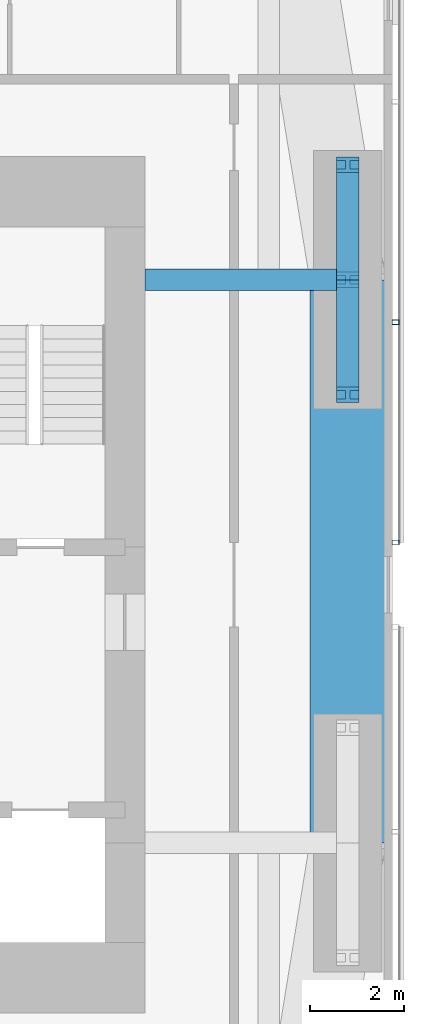
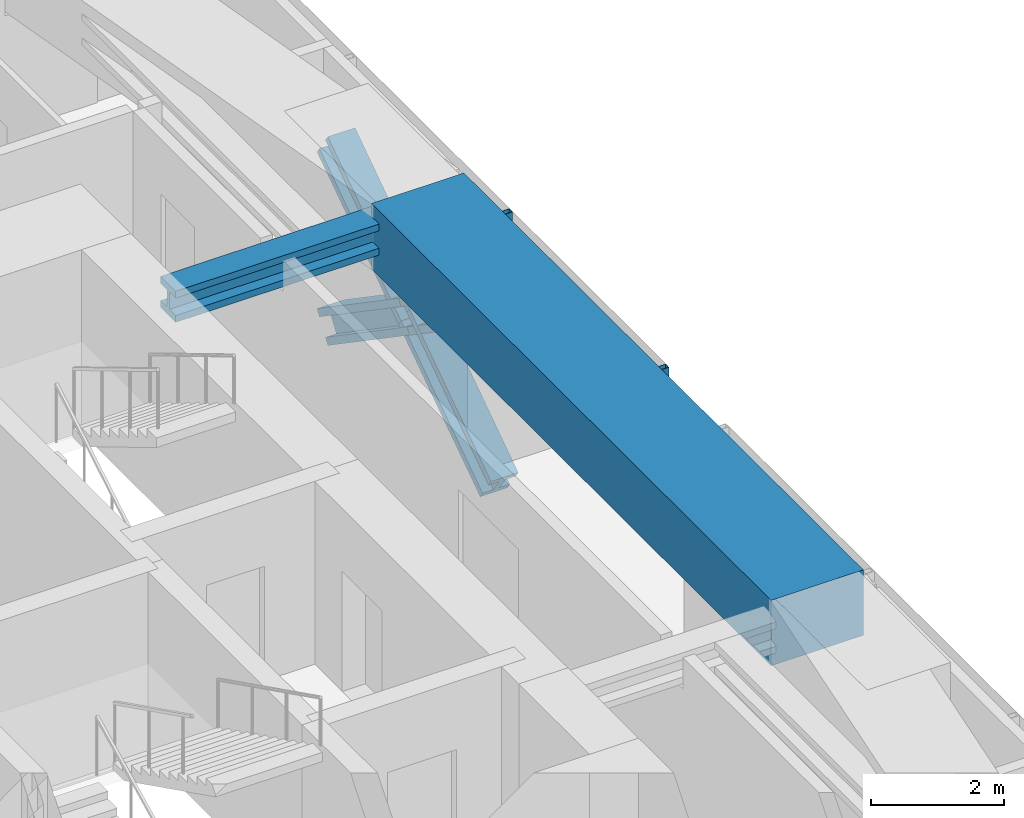
# One storey, part 10 of 24: 6 members, 2 beams, 1 element without a shape of its own.
"""IFC4 building model written with IfcOpenShell, lengths in metres."""

from ifc_helpers import new_model, si_unit, direction, frame, origin, origin_2d, place, context, subcontext, project, spatial, rectangle, hollow_rectangle, i_section, extrude, material, material_profile, profile_set, type_object, element, aggregate, save


model = new_model("IFC4")

# Units and contexts
model_context = context("Model", 3, precision=1e-05, world=origin(), true_north=direction((0.0, 1.0)))
body_context = subcontext(model_context, "Body", "Model", "MODEL_VIEW")
ifc_project = project(units=[si_unit("LENGTHUNIT", "METRE"), si_unit("AREAUNIT", "SQUARE_METRE"), si_unit("VOLUMEUNIT", "CUBIC_METRE"), si_unit("PLANEANGLEUNIT", "RADIAN"), si_unit("MASSUNIT", "GRAM", prefix="KILO")], contexts=[model_context])

# Site, building, storey
site_placement = place(None, origin())
site = spatial("IfcSite", under=ifc_project, at=site_placement, CompositionType="ELEMENT")
building_placement = place(site_placement, origin())
building = spatial("IfcBuilding", under=site, at=building_placement, Name="Jalousie Tower", CompositionType="ELEMENT")
storey_placement = place(building_placement, frame((0.0, 0.0, 124.949951171875)))
storey = spatial("IfcBuildingStorey", under=building, at=storey_placement, Name="L34", CompositionType="ELEMENT", Elevation=124.949951171875)

# Beam
ifc_material_1 = material(Name="Steel ASTM A992 Grade 50", Category="steel")
ifc_material_profile_1 = material_profile(ifc_material_1, i_section(OverallWidth=0.45458984375, OverallDepth=0.569091796875, WebThickness=0.077880859375, FlangeThickness=0.124755859375, at=origin_2d()), Name="W14X730")
ifc_profile_set_1 = profile_set([ifc_material_profile_1], Name="Steel ASTM A992 Grade 50")
beam_type_1 = type_object("IfcBeamType", Name="LEAN COLLECTOR W14X730", PredefinedType="BEAM", material=ifc_profile_set_1)
beam_1_placement = place(storey_placement, frame((48.550048828125, 25.0, 2.825439453125), z_axis=(-1.0, 0.0, 0.0), x_axis=(0.0, -1.0, 0.0)))
element("IfcBeam", 1, at=beam_1_placement, inside=storey, type_object=beam_type_1, Name="Lean collector under L35", PredefinedType="BEAM", context=body_context, shape_type="SweptSolid", body=[
    extrude(i_section(OverallWidth=0.45458984375, OverallDepth=0.569091796875, WebThickness=0.077880859375, FlangeThickness=0.124755859375, at=origin_2d()), origin(), (0.0, 0.0, 1.0), 4.324951171875),
])

# Members
ifc_material_2 = material(Name="Steel ASTM A992 Grade 50", Category="steel")
ifc_material_profile_2 = material_profile(ifc_material_2, i_section(OverallWidth=0.472412109375, OverallDepth=0.5791015625, WebThickness=0.094970703125, FlangeThickness=0.1298828125, at=origin_2d()), Name="W14X808")
ifc_profile_set_2 = profile_set([ifc_material_profile_2], Name="Steel ASTM A992 Grade 50")
member_type_1 = type_object("IfcMemberType", Name="PERIMETER BRACE W14X808", PredefinedType="BRACE", material=ifc_profile_set_2)
for number, where, z_axis, x_axis, name in (
    (2, (48.550048828125, 22.550048828125, -0.599853515625), (0.0, 0.825539243753, 0.564344714713), (-1.0, 0.0, 0.0), "Perimeter brace 07 L34 part 1"),
    (3, (48.550048828125, 25.0, 1.074951171875), (0.0, 0.825500916831, 0.564400776321), (-1.0, 0.0, 0.0), "Perimeter brace 07 L34 part 2"),
    (4, (48.550048828125, 27.449951171875, -0.599853515625), (0.0, -0.825539243753, 0.564344714713), (1.0, 0.0, 0.0), "Perimeter brace 07 L34 part 3"),
    (5, (48.550048828125, 25.0, 1.074951171875), (0.0, -0.825500916831, 0.564400776321), (1.0, 0.0, 0.0), "Perimeter brace 07 L34 part 4"),
):
    element("IfcMember", number, at=place(storey_placement, frame(where, z_axis=z_axis, x_axis=x_axis)), inside=storey, type_object=member_type_1, Name=name, PredefinedType="BRACE", context=body_context, shape_type="SweptSolid", body=[
        extrude(i_section(OverallWidth=0.472412109375, OverallDepth=0.5791015625, WebThickness=0.094970703125, FlangeThickness=0.1298828125, at=origin_2d()), origin(), (0.0, 0.0, 1.0), 2.9677734375),
    ])

# Beam
ifc_material_3 = material(Name="Concrete f'c 40 MPa", Category="concrete")
ifc_material_profile_3 = material_profile(ifc_material_3, rectangle(XDim=1.60009765625, YDim=1.199951171875, at=origin_2d()), Name="RC 1600x1200")
ifc_profile_set_3 = profile_set([ifc_material_profile_3], Name="Concrete f'c 40 MPa")
beam_type_2 = type_object("IfcBeamType", Name="RC BEAM 1600x1200", PredefinedType="BEAM", material=ifc_profile_set_3)
beam_2_placement = place(storey_placement, frame((48.550048828125, 13.0, 2.75), z_axis=(0.0, 1.0, 0.0), x_axis=(-1.0, 0.0, 0.0)))
element("IfcBeam", 6, at=beam_2_placement, inside=storey, type_object=beam_type_2, Name="Edge band beam 06-07 under L35", PredefinedType="BEAM", context=body_context, shape_type="SweptSolid", body=[
    extrude(rectangle(XDim=1.60009765625, YDim=1.199951171875, at=origin_2d()), origin(), (0.0, 0.0, 1.0), 12.0),
])

# Curtain wall, members
ifc_material_4 = material(Name="Perforated aluminium sheet", Category="aluminium")
curtain_wall_type = type_object("IfcCurtainWallType", Name="SOLAR SCREEN SS-1", PredefinedType="USERDEFINED", material=ifc_material_4)
curtain_wall_placement = place(storey_placement, origin())
curtain_wall = element("IfcCurtainWall", 7, at=curtain_wall_placement, inside=storey, type_object=curtain_wall_type, Name="Solar screen L34", ObjectType="SOLAR SCREEN SS-1", PredefinedType="USERDEFINED")
ifc_material_5 = material(Name="Steel ASTM A500 Grade C", Category="steel")
ifc_material_profile_4 = material_profile(ifc_material_5, hollow_rectangle(XDim=0.1015625, YDim=0.15234375, WallThickness=0.00634765625, at=origin_2d()), Name="HSS6X4X1/4")
ifc_profile_set_4 = profile_set([ifc_material_profile_4], Name="Steel ASTM A500 Grade C")
member_type_2 = type_object("IfcMemberType", Name="SOLAR SCREEN SS-1 MULLION", PredefinedType="MULLION", material=ifc_profile_set_4)
member_1_placement = place(storey_placement, frame((49.5712890625, 19.39990234375, -0.119873046875), z_axis=(0.0, 0.0, 1.0), x_axis=(0.0, 1.0, 0.0)))
member_1 = element("IfcMember", 8, at=member_1_placement, type_object=member_type_2, Name="SS1 post 1", PredefinedType="MULLION", context=body_context, shape_type="SweptSolid", body=[
    extrude(hollow_rectangle(XDim=0.1015625, YDim=0.15234375, WallThickness=0.00634765625, at=origin_2d()), origin(), (0.0, 0.0, 1.0), 3.22998046875),
])
member_2_placement = place(storey_placement, frame((49.5712890625, 24.095458984375, -0.119873046875), z_axis=(0.0, 0.0, 1.0), x_axis=(0.0, 1.0, 0.0)))
member_2 = element("IfcMember", 9, at=member_2_placement, type_object=member_type_2, Name="SS1 post 2", PredefinedType="MULLION", context=body_context, shape_type="SweptSolid", body=[
    extrude(hollow_rectangle(XDim=0.1015625, YDim=0.15234375, WallThickness=0.00634765625, at=origin_2d()), origin(), (0.0, 0.0, 1.0), 3.22998046875),
])
aggregate(curtain_wall, [member_1, member_2])

save(model, "model.ifc")
